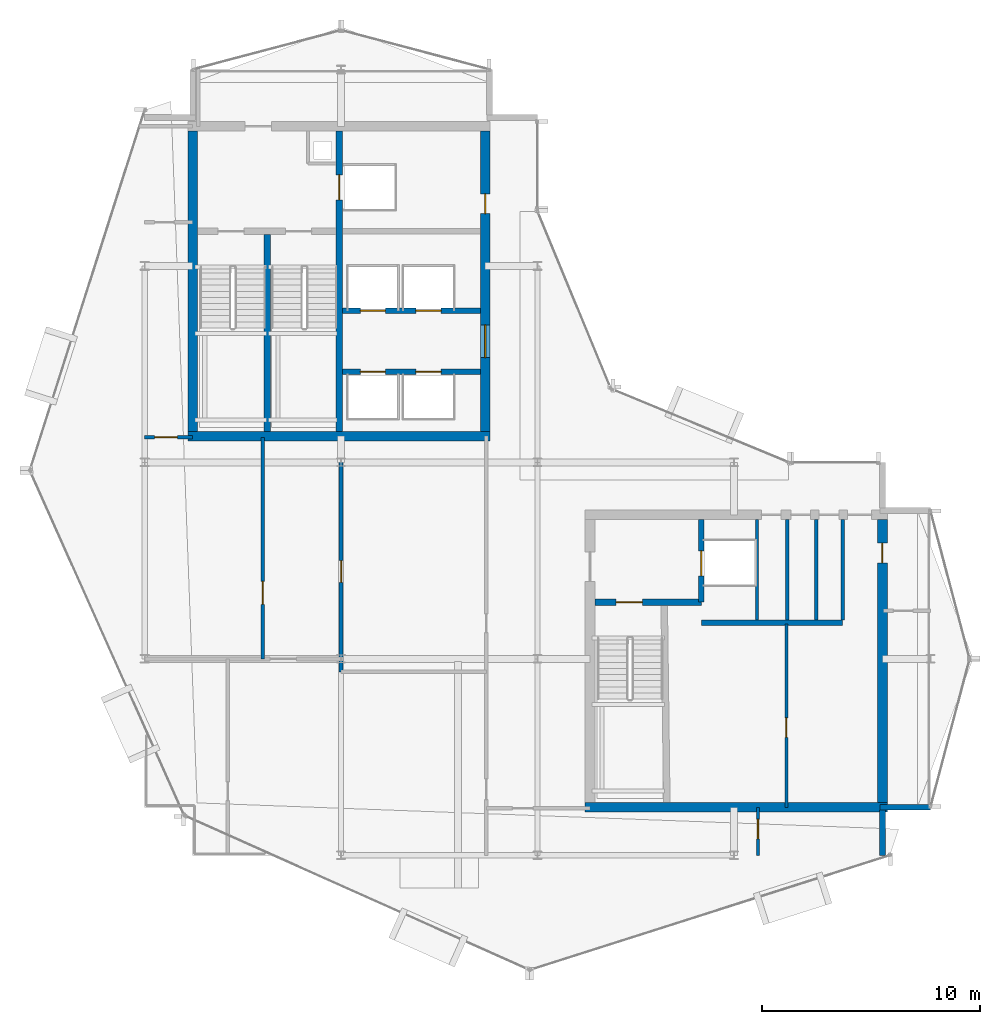
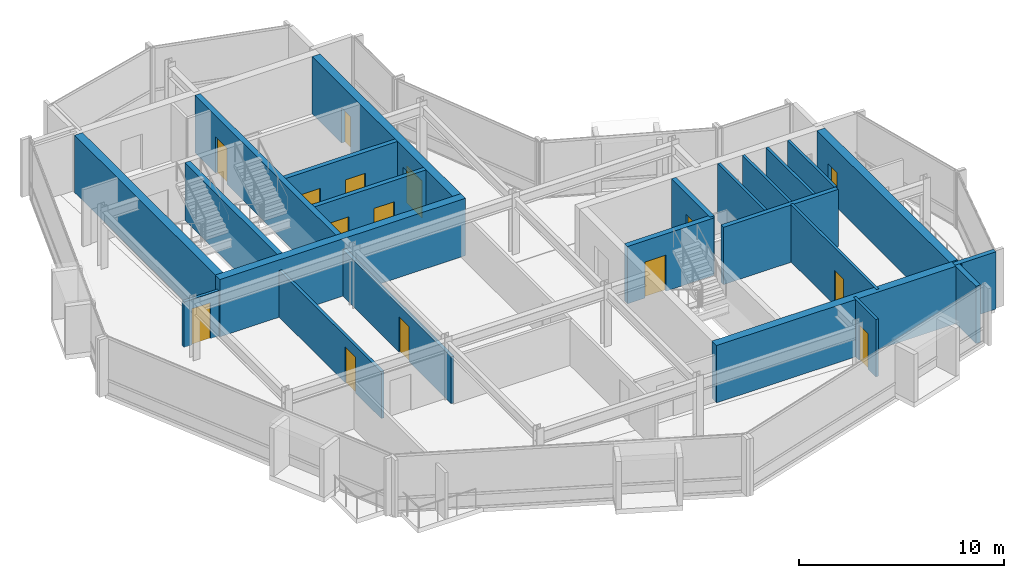
# One storey, part 14 of 19: 23 walls, 15 doors, 15 openings.
"""IFC4 building model written with IfcOpenShell, lengths in metres."""

from ifc_helpers import new_model, si_unit, direction, frame, frame_2d, origin, place, context, subcontext, project, spatial, rectangle, extrude, material, layer, layer_set, type_object, element, fill, save


model = new_model("IFC4")

# Units and contexts
model_context = context("Model", 3, precision=1e-05, world=origin(), true_north=direction((0.0, 1.0)))
body_context = subcontext(model_context, "Body", "Model", "MODEL_VIEW")
ifc_project = project(units=[si_unit("LENGTHUNIT", "METRE"), si_unit("AREAUNIT", "SQUARE_METRE"), si_unit("VOLUMEUNIT", "CUBIC_METRE"), si_unit("PLANEANGLEUNIT", "RADIAN"), si_unit("MASSUNIT", "GRAM", prefix="KILO")], contexts=[model_context])

# Site, building, storey
site_placement = place(None, origin())
site = spatial("IfcSite", under=ifc_project, at=site_placement, CompositionType="ELEMENT")
building_placement = place(site_placement, origin())
building = spatial("IfcBuilding", under=site, at=building_placement, Name="Solvaryn Broadcast Tower", CompositionType="ELEMENT")
storey_placement = place(building_placement, frame((0.0, 0.0, 274.10009765625)))
storey = spatial("IfcBuildingStorey", under=building, at=storey_placement, Name="L69", CompositionType="ELEMENT", Elevation=274.10009765625)

# Walls
ifc_material_1 = material(Name="Concrete f'c 70 MPa", Category="concrete")
ifc_layer_1 = layer(ifc_material_1, 0.449951171875)
ifc_layer_set_1 = layer_set([ifc_layer_1], Name="CW-SHEAR-450")
wall_type_1 = type_object("IfcWallType", Name="CW-SHEAR-450", PredefinedType="SHEAR", material=ifc_layer_set_1)
wall_1_placement = place(storey_placement, frame((10.97509765625, 28.199951171875, 0.0), z_axis=(0.0, 0.0, 1.0), x_axis=(1.0, 0.0, 0.0)))
element("IfcWall", 1, at=wall_1_placement, inside=storey, type_object=wall_type_1, Name="L69 West Core South Shear Wall", PredefinedType="SHEAR", context=body_context, shape_type="SweptSolid", body=[
    extrude(rectangle(XDim=13.849853515625, YDim=0.449951171875, at=frame_2d((6.9248046875, 0.0))), origin(), (0.0, 0.0, 1.0), 3.419921875),
])
wall_2_placement = place(storey_placement, frame((11.199951171875, 42.175048828125, 0.0), z_axis=(0.0, 0.0, 1.0), x_axis=(0.0, -1.0, 0.0)))
element("IfcWall", 2, at=wall_2_placement, inside=storey, type_object=wall_type_1, Name="L69 West Core West Shear Wall", PredefinedType="SHEAR", context=body_context, shape_type="SweptSolid", body=[
    extrude(rectangle(XDim=13.75, YDim=0.449951171875, at=frame_2d((6.875, 0.0))), origin(), (0.0, 0.0, 1.0), 3.419921875),
])

# Wall, openings, doors
wall_3_placement = place(storey_placement, frame((24.60009765625, 28.425048828125, 0.0), z_axis=(0.0, 0.0, 1.0), x_axis=(0.0, 1.0, 0.0)))
wall_3 = element("IfcWall", 3, at=wall_3_placement, inside=storey, type_object=wall_type_1, Name="L69 West Core East Shear Wall", PredefinedType="SHEAR", context=body_context, shape_type="SweptSolid", body=[
    extrude(rectangle(XDim=13.75, YDim=0.449951171875, at=frame_2d((6.875, 0.0))), origin(), (0.0, 0.0, 1.0), 3.419921875),
])
opening_1_placement = place(wall_3_placement, frame((3.375, 0.0, 0.0)))
opening_1 = element("IfcOpeningElement", 4, at=opening_1_placement, cuts=wall_3, Name="Opening FD60A", PredefinedType="OPENING", context=body_context, shape_type="SweptSolid", body=[
    extrude(rectangle(XDim=1.5, YDim=2.199951171875, at=frame_2d((0.75, 1.10009765625))), frame((0.0, 0.235107421875, 0.0), z_axis=(0.0, -1.0, 0.0), x_axis=(1.0, 0.0, 0.0)), (0.0, 0.0, 1.0), 0.469970703125),
])
opening_2_placement = place(wall_3_placement, frame((9.97509765625, 0.0, 0.0)))
opening_2 = element("IfcOpeningElement", 5, at=opening_2_placement, cuts=wall_3, Name="Opening FD60C", PredefinedType="OPENING", context=body_context, shape_type="SweptSolid", body=[
    extrude(rectangle(XDim=0.89990234375, YDim=2.10009765625, at=frame_2d((0.449951171875, 1.050048828125))), frame((0.0, 0.235107421875, 0.0), z_axis=(0.0, -1.0, 0.0), x_axis=(1.0, 0.0, 0.0)), (0.0, 0.0, 1.0), 0.469970703125),
])
ifc_material_2 = material(Name="Flush Acoustic Steel and Timber Door Assembly", Category="steel")
door_type_1 = type_object("IfcDoorType", Name="FD60-CORR-1500X2200", OperationType="NOTDEFINED", PredefinedType="DOOR", material=ifc_material_2)
door_1_placement = place(opening_1_placement, origin())
door_1 = element("IfcDoor", 6, at=door_1_placement, inside=storey, type_object=door_type_1, Name="L69 West Elevator Lobby Corridor Door", OperationType="DOUBLE_DOOR_SINGLE_SWING", OverallHeight=2.199951171875, OverallWidth=1.5, PredefinedType="DOOR", context=body_context, shape_type="SweptSolid", body=[
    extrude(rectangle(XDim=1.5, YDim=2.199951171875, at=frame_2d((0.75, 1.10009765625))), frame((0.0, 0.02490234375, 0.0), z_axis=(0.0, -1.0, 0.0), x_axis=(1.0, 0.0, 0.0)), (0.0, 0.0, 1.0), 0.050048828125),
])
fill(opening_1, door_1)
ifc_material_3 = material(Name="Flush Acoustic Steel and Timber Door Assembly", Category="steel")
door_type_2 = type_object("IfcDoorType", Name="FD60-SERV-900X2100", OperationType="NOTDEFINED", PredefinedType="DOOR", material=ifc_material_3)
door_2_placement = place(opening_2_placement, origin())
door_2 = element("IfcDoor", 7, at=door_2_placement, inside=storey, type_object=door_type_2, Name="L69 West Core Service Door 1", OperationType="SINGLE_SWING_LEFT", OverallHeight=2.10009765625, OverallWidth=0.89990234375, PredefinedType="DOOR", context=body_context, shape_type="SweptSolid", body=[
    extrude(rectangle(XDim=0.89990234375, YDim=2.10009765625, at=frame_2d((0.449951171875, 1.050048828125))), frame((0.0, 0.02490234375, 0.0), z_axis=(0.0, -1.0, 0.0), x_axis=(1.0, 0.0, 0.0)), (0.0, 0.0, 1.0), 0.050048828125),
])
fill(opening_2, door_2)

# Wall
wall_4_placement = place(storey_placement, frame((29.175048828125, 11.199951171875, 0.0), z_axis=(0.0, 0.0, 1.0), x_axis=(1.0, 0.0, 0.0)))
element("IfcWall", 8, at=wall_4_placement, inside=storey, type_object=wall_type_1, Name="L69 East Core South Shear Wall", PredefinedType="SHEAR", context=body_context, shape_type="SweptSolid", body=[
    extrude(rectangle(XDim=13.849853515625, YDim=0.449951171875, at=frame_2d((6.9248046875, 0.0))), origin(), (0.0, 0.0, 1.0), 3.419921875),
])

# Wall, opening, door
wall_5_placement = place(storey_placement, frame((42.800048828125, 11.425048828125, 0.0), z_axis=(0.0, 0.0, 1.0), x_axis=(0.0, 1.0, 0.0)))
wall_5 = element("IfcWall", 9, at=wall_5_placement, inside=storey, type_object=wall_type_1, Name="L69 East Core East Shear Wall", PredefinedType="SHEAR", context=body_context, shape_type="SweptSolid", body=[
    extrude(rectangle(XDim=12.949951171875, YDim=0.449951171875, at=frame_2d((6.47509765625, 0.0))), origin(), (0.0, 0.0, 1.0), 3.419921875),
])
opening_3_placement = place(wall_5_placement, frame((10.97509765625, 0.0, 0.0)))
opening_3 = element("IfcOpeningElement", 10, at=opening_3_placement, cuts=wall_5, Name="Opening FD60C", PredefinedType="OPENING", context=body_context, shape_type="SweptSolid", body=[
    extrude(rectangle(XDim=0.89990234375, YDim=2.10009765625, at=frame_2d((0.449951171875, 1.050048828125))), frame((0.0, 0.235107421875, 0.0), z_axis=(0.0, -1.0, 0.0), x_axis=(1.0, 0.0, 0.0)), (0.0, 0.0, 1.0), 0.469970703125),
])
door_3_placement = place(opening_3_placement, origin())
door_3 = element("IfcDoor", 11, at=door_3_placement, inside=storey, type_object=door_type_2, Name="L69 Upper East Studio Door", OperationType="SINGLE_SWING_RIGHT", OverallHeight=2.10009765625, OverallWidth=0.89990234375, PredefinedType="DOOR", context=body_context, shape_type="SweptSolid", body=[
    extrude(rectangle(XDim=0.89990234375, YDim=2.10009765625, at=frame_2d((0.449951171875, 1.050048828125))), frame((0.0, 0.02490234375, 0.0), z_axis=(0.0, -1.0, 0.0), x_axis=(1.0, 0.0, 0.0)), (0.0, 0.0, 1.0), 0.050048828125),
])
fill(opening_3, door_3)

# Walls
ifc_material_4 = material(Name="Concrete f'c 50 MPa", Category="concrete")
ifc_layer_2 = layer(ifc_material_4, 0.260009765625)
ifc_layer_set_2 = layer_set([ifc_layer_2], Name="EW-PIER-260")
wall_type_2 = type_object("IfcWallType", Name="EW-PIER-260", PredefinedType="SOLIDWALL", material=ifc_layer_set_2)
wall_6_placement = place(storey_placement, frame((42.800048828125, 9.0, 0.0), z_axis=(0.0, 0.0, 1.0), x_axis=(0.0, 1.0, 0.0)))
element("IfcWall", 12, at=wall_6_placement, inside=storey, type_object=wall_type_2, Name="L69 Notched Corner Pier Wall NSE1", PredefinedType="SOLIDWALL", context=body_context, shape_type="SweptSolid", body=[
    extrude(rectangle(XDim=2.080078125, YDim=0.260009765625, at=frame_2d((1.0400390625, 0.0))), origin(), (0.0, 0.0, 1.0), 3.419921875),
])
wall_7_placement = place(storey_placement, frame((42.679931640625, 11.199951171875, 0.0), z_axis=(0.0, 0.0, 1.0), x_axis=(1.0, 0.0, 0.0)))
element("IfcWall", 13, at=wall_7_placement, inside=storey, type_object=wall_type_2, Name="L69 Notched Corner Pier Wall NSE2", PredefinedType="SOLIDWALL", context=body_context, shape_type="SweptSolid", body=[
    extrude(rectangle(XDim=2.320068359375, YDim=0.260009765625, at=frame_2d((1.16015625, 0.0))), origin(), (0.0, 0.0, 1.0), 3.419921875),
])

# Wall, opening, door
ifc_material_5 = material(Name="Metal-Stud Service Core Partition")
ifc_layer_3 = layer(ifc_material_5, 0.14990234375)
ifc_layer_set_3 = layer_set([ifc_layer_3], Name="IW-PART-150")
wall_type_3 = type_object("IfcWallType", Name="IW-PART-150", PredefinedType="PARTITIONING", material=ifc_layer_set_3)
wall_8_placement = place(storey_placement, frame((38.39990234375, 11.199951171875, 0.0), z_axis=(0.0, 0.0, 1.0), x_axis=(0.0, 1.0, 0.0)))
wall_8 = element("IfcWall", 14, at=wall_8_placement, inside=storey, type_object=wall_type_3, Name="L69 Interior Partition IW-L69-RPM-V", PredefinedType="PARTITIONING", context=body_context, shape_type="SweptSolid", body=[
    extrude(rectangle(XDim=8.400146484375, YDim=0.14990234375, at=frame_2d((4.2001953125, 0.0))), origin(), (0.0, 0.0, 1.0), 3.419921875),
])
opening_4_placement = place(wall_8_placement, frame((3.199951171875, 0.0, 0.0)))
opening_4 = element("IfcOpeningElement", 15, at=opening_4_placement, cuts=wall_8, Name="Opening FD60C", PredefinedType="OPENING", context=body_context, shape_type="SweptSolid", body=[
    extrude(rectangle(XDim=0.89990234375, YDim=2.10009765625, at=frame_2d((0.449951171875, 1.050048828125))), frame((0.0, 0.0849609375, 0.0), z_axis=(0.0, -1.0, 0.0), x_axis=(1.0, 0.0, 0.0)), (0.0, 0.0, 1.0), 0.169921875),
])
door_4_placement = place(opening_4_placement, origin())
door_4 = element("IfcDoor", 16, at=door_4_placement, inside=storey, type_object=door_type_2, Name="L69 Door DR-L69-RPM1", OperationType="SINGLE_SWING_LEFT", OverallHeight=2.10009765625, OverallWidth=0.89990234375, PredefinedType="DOOR", context=body_context, shape_type="SweptSolid", body=[
    extrude(rectangle(XDim=0.89990234375, YDim=2.10009765625, at=frame_2d((0.449951171875, 1.050048828125))), frame((0.0, 0.02490234375, 0.0), z_axis=(0.0, -1.0, 0.0), x_axis=(1.0, 0.0, 0.0)), (0.0, 0.0, 1.0), 0.050048828125),
])
fill(opening_4, door_4)

# Walls
for number, where, z_axis, x_axis, name in (
    (17, (37.050048828125, 19.780029296875, 0.0), (0.0, 0.0, 1.0), (0.0, 1.0, 0.0), "L69 Interior Partition IW-L69-CE-FL2E"),
    (18, (38.43994140625, 19.780029296875, 0.0), (0.0, 0.0, 1.0), (0.0, 1.0, 0.0), "L69 Interior Partition IW-L69-CE-V1"),
    (19, (39.77001953125, 19.780029296875, 0.0), (0.0, 0.0, 1.0), (0.0, 1.0, 0.0), "L69 Interior Partition IW-L69-CE-V2"),
    (20, (40.97998046875, 19.780029296875, 0.0), (0.0, 0.0, 1.0), (0.0, 1.0, 0.0), "L69 Interior Partition IW-L69-CE-V3"),
):
    element("IfcWall", number, at=place(storey_placement, frame(where, z_axis=z_axis, x_axis=x_axis)), inside=storey, type_object=wall_type_3, Name=name, PredefinedType="PARTITIONING", context=body_context, shape_type="SweptSolid", body=[
        extrude(rectangle(XDim=4.594970703125, YDim=0.14990234375, at=frame_2d((2.29736328125, 0.0))), origin(), (0.0, 0.0, 1.0), 3.419921875),
    ])

# Wall, opening, door
wall_9_placement = place(storey_placement, frame((37.10009765625, 9.0, 0.0), z_axis=(0.0, 0.0, 1.0), x_axis=(0.0, 1.0, 0.0)))
wall_9 = element("IfcWall", 21, at=wall_9_placement, inside=storey, type_object=wall_type_3, Name="L69 Interior Partition IW-L69-SC-V", PredefinedType="PARTITIONING", context=body_context, shape_type="SweptSolid", body=[
    extrude(rectangle(XDim=2.199951171875, YDim=0.14990234375, at=frame_2d((1.10009765625, 0.0))), origin(), (0.0, 0.0, 1.0), 3.419921875),
])
opening_5_placement = place(wall_9_placement, frame((0.75, 0.0, 0.0)))
opening_5 = element("IfcOpeningElement", 22, at=opening_5_placement, cuts=wall_9, Name="Opening FD60C", PredefinedType="OPENING", context=body_context, shape_type="SweptSolid", body=[
    extrude(rectangle(XDim=0.89990234375, YDim=2.10009765625, at=frame_2d((0.449951171875, 1.050048828125))), frame((0.0, 0.0849609375, 0.0), z_axis=(0.0, -1.0, 0.0), x_axis=(1.0, 0.0, 0.0)), (0.0, 0.0, 1.0), 0.169921875),
])
door_5_placement = place(opening_5_placement, origin())
door_5 = element("IfcDoor", 23, at=door_5_placement, inside=storey, type_object=door_type_2, Name="L69 Door DR-L69-SC1", OperationType="SINGLE_SWING_LEFT", OverallHeight=2.10009765625, OverallWidth=0.89990234375, PredefinedType="DOOR", context=body_context, shape_type="SweptSolid", body=[
    extrude(rectangle(XDim=0.89990234375, YDim=2.10009765625, at=frame_2d((0.449951171875, 1.050048828125))), frame((0.0, 0.02490234375, 0.0), z_axis=(0.0, -1.0, 0.0), x_axis=(1.0, 0.0, 0.0)), (0.0, 0.0, 1.0), 0.050048828125),
])
fill(opening_5, door_5)

ifc_material_6 = material(Name="Metal-Stud Gypsum Office Partition")
ifc_layer_4 = layer(ifc_material_6, 0.159912109375)
ifc_layer_set_4 = layer_set([ifc_layer_4], Name="IW-PART-160")
wall_type_4 = type_object("IfcWallType", Name="IW-PART-160", PredefinedType="PARTITIONING", material=ifc_layer_set_4)
wall_10_placement = place(storey_placement, frame((9.0, 28.14990234375, 0.0), z_axis=(0.0, 0.0, 1.0), x_axis=(1.0, 0.0, 0.0)))
wall_10 = element("IfcWall", 24, at=wall_10_placement, inside=storey, type_object=wall_type_4, Name="L69 Interior Partition IW-L69-WM-S", PredefinedType="PARTITIONING", context=body_context, shape_type="SweptSolid", body=[
    extrude(rectangle(XDim=2.199951171875, YDim=0.159912109375, at=frame_2d((1.10009765625, 0.0))), origin(), (0.0, 0.0, 1.0), 2.706787109375),
])
opening_6_placement = place(wall_10_placement, frame((0.449951171875, 0.0, 0.0)))
opening_6 = element("IfcOpeningElement", 25, at=opening_6_placement, cuts=wall_10, Name="Opening ID03", PredefinedType="OPENING", context=body_context, shape_type="SweptSolid", body=[
    extrude(rectangle(XDim=1.050048828125, YDim=2.14990234375, at=frame_2d((0.52490234375, 1.074951171875))), frame((0.0, 0.090087890625, 0.0), z_axis=(0.0, -1.0, 0.0), x_axis=(1.0, 0.0, 0.0)), (0.0, 0.0, 1.0), 0.179931640625),
])
ifc_material_7 = material(Name="Flush Acoustic Steel and Timber Door Assembly", Category="steel")
door_type_3 = type_object("IfcDoorType", Name="ID-03-1050X2150", OperationType="NOTDEFINED", PredefinedType="DOOR", material=ifc_material_7)
door_6_placement = place(opening_6_placement, origin())
door_6 = element("IfcDoor", 26, at=door_6_placement, inside=storey, type_object=door_type_3, Name="L69 Door DR-L69-WM0", OperationType="SINGLE_SWING_RIGHT", OverallHeight=2.14990234375, OverallWidth=1.050048828125, PredefinedType="DOOR", context=body_context, shape_type="SweptSolid", body=[
    extrude(rectangle(XDim=1.050048828125, YDim=2.14990234375, at=frame_2d((0.52490234375, 1.074951171875))), frame((0.0, 0.02490234375, 0.0), z_axis=(0.0, -1.0, 0.0), x_axis=(1.0, 0.0, 0.0)), (0.0, 0.0, 1.0), 0.050048828125),
])
fill(opening_6, door_6)

wall_11_placement = place(storey_placement, frame((14.39990234375, 18.0, 0.0), z_axis=(0.0, 0.0, 1.0), x_axis=(0.0, 1.0, 0.0)))
wall_11 = element("IfcWall", 27, at=wall_11_placement, inside=storey, type_object=wall_type_4, Name="L69 Interior Partition IW-L69-SW-NWV", PredefinedType="PARTITIONING", context=body_context, shape_type="SweptSolid", body=[
    extrude(rectangle(XDim=10.1298828125, YDim=0.159912109375, at=frame_2d((5.06494140625, 0.0))), origin(), (0.0, 0.0, 1.0), 2.788818359375),
])
opening_7_placement = place(wall_11_placement, frame((2.5, 0.0, 0.0)))
opening_7 = element("IfcOpeningElement", 28, at=opening_7_placement, cuts=wall_11, Name="Opening ID03", PredefinedType="OPENING", context=body_context, shape_type="SweptSolid", body=[
    extrude(rectangle(XDim=1.050048828125, YDim=2.14990234375, at=frame_2d((0.52490234375, 1.074951171875))), frame((0.0, 0.090087890625, 0.0), z_axis=(0.0, -1.0, 0.0), x_axis=(1.0, 0.0, 0.0)), (0.0, 0.0, 1.0), 0.179931640625),
])
door_7_placement = place(opening_7_placement, origin())
door_7 = element("IfcDoor", 29, at=door_7_placement, inside=storey, type_object=door_type_3, Name="L69 Door DR-L69-SWL-NW", OperationType="SINGLE_SWING_LEFT", OverallHeight=2.14990234375, OverallWidth=1.050048828125, PredefinedType="DOOR", context=body_context, shape_type="SweptSolid", body=[
    extrude(rectangle(XDim=1.050048828125, YDim=2.14990234375, at=frame_2d((0.52490234375, 1.074951171875))), frame((0.0, 0.02490234375, 0.0), z_axis=(0.0, -1.0, 0.0), x_axis=(1.0, 0.0, 0.0)), (0.0, 0.0, 1.0), 0.050048828125),
])
fill(opening_7, door_7)

ifc_material_8 = material(Name="Acoustic Metal-Stud Gypsum Partition")
ifc_layer_5 = layer(ifc_material_8, 0.179931640625)
ifc_layer_set_5 = layer_set([ifc_layer_5], Name="IW-PART-180")
wall_type_5 = type_object("IfcWallType", Name="IW-PART-180", PredefinedType="PARTITIONING", material=ifc_layer_set_5)
wall_12_placement = place(storey_placement, frame((18.0, 17.39990234375, 0.0), z_axis=(0.0, 0.0, 1.0), x_axis=(0.0, 1.0, 0.0)))
wall_12 = element("IfcWall", 30, at=wall_12_placement, inside=storey, type_object=wall_type_5, Name="L69 Interior Partition IW-L69-SW-LV", PredefinedType="PARTITIONING", context=body_context, shape_type="SweptSolid", body=[
    extrude(rectangle(XDim=10.72998046875, YDim=0.179931640625, at=frame_2d((5.364990234375, 0.0))), origin(), (0.0, 0.0, 1.0), 2.788818359375),
])
opening_8_placement = place(wall_12_placement, frame((4.10009765625, 0.0, 0.0)))
opening_8 = element("IfcOpeningElement", 31, at=opening_8_placement, cuts=wall_12, Name="Opening ID02", PredefinedType="OPENING", context=body_context, shape_type="SweptSolid", body=[
    extrude(rectangle(XDim=1.0, YDim=2.10009765625, at=frame_2d((0.5, 1.050048828125))), frame((0.0, 0.099853515625, 0.0), z_axis=(0.0, -1.0, 0.0), x_axis=(1.0, 0.0, 0.0)), (0.0, 0.0, 1.0), 0.199951171875),
])
ifc_material_9 = material(Name="Flush Acoustic Steel and Timber Door Assembly", Category="steel")
door_type_4 = type_object("IfcDoorType", Name="ID-02-1000X2100", OperationType="NOTDEFINED", PredefinedType="DOOR", material=ifc_material_9)
door_8_placement = place(opening_8_placement, origin())
door_8 = element("IfcDoor", 32, at=door_8_placement, inside=storey, type_object=door_type_4, Name="L69 Door DR-L69-SWL-LV", OperationType="SINGLE_SWING_RIGHT", OverallHeight=2.10009765625, OverallWidth=1.0, PredefinedType="DOOR", context=body_context, shape_type="SweptSolid", body=[
    extrude(rectangle(XDim=1.0, YDim=2.10009765625, at=frame_2d((0.5, 1.050048828125))), frame((0.0, 0.02490234375, 0.0), z_axis=(0.0, -1.0, 0.0), x_axis=(1.0, 0.0, 0.0)), (0.0, 0.0, 1.0), 0.050048828125),
])
fill(opening_8, door_8)

# Wall, openings, doors
ifc_material_10 = material(Name="Concrete f'c 60 MPa", Category="concrete")
ifc_layer_6 = layer(ifc_material_10, 0.25)
ifc_layer_set_6 = layer_set([ifc_layer_6], Name="SW-SHAFT-250")
wall_type_6 = type_object("IfcWallType", Name="SW-SHAFT-250", PredefinedType="PARTITIONING", material=ifc_layer_set_6)
wall_13_placement = place(storey_placement, frame((18.070068359375, 31.14990234375, 0.0), z_axis=(0.0, 0.0, 1.0), x_axis=(1.0, 0.0, 0.0)))
wall_13 = element("IfcWall", 33, at=wall_13_placement, inside=storey, type_object=wall_type_6, Name="L69 High-Rise Lift Bank South Wall", PredefinedType="PARTITIONING", context=body_context, shape_type="SweptSolid", body=[
    extrude(rectangle(XDim=6.304931640625, YDim=0.25, at=frame_2d((3.15234375, 0.0))), origin(), (0.0, 0.0, 1.0), 3.419921875),
])
opening_9_placement = place(wall_13_placement, frame((0.804931640625, 0.0, 0.0)))
opening_9 = element("IfcOpeningElement", 34, at=opening_9_placement, cuts=wall_13, Name="Opening LD01", PredefinedType="OPENING", context=body_context, shape_type="SweptSolid", body=[
    extrude(rectangle(XDim=1.14990234375, YDim=2.14990234375, at=frame_2d((0.574951171875, 1.074951171875))), frame((0.0, 0.135009765625, 0.0), z_axis=(0.0, -1.0, 0.0), x_axis=(1.0, 0.0, 0.0)), (0.0, 0.0, 1.0), 0.27001953125),
])
opening_10_placement = place(wall_13_placement, frame((3.35498046875, 0.0, 0.0)))
opening_10 = element("IfcOpeningElement", 35, at=opening_10_placement, cuts=wall_13, Name="Opening LD01", PredefinedType="OPENING", context=body_context, shape_type="SweptSolid", body=[
    extrude(rectangle(XDim=1.14990234375, YDim=2.14990234375, at=frame_2d((0.574951171875, 1.074951171875))), frame((0.0, 0.135009765625, 0.0), z_axis=(0.0, -1.0, 0.0), x_axis=(1.0, 0.0, 0.0)), (0.0, 0.0, 1.0), 0.27001953125),
])
ifc_material_11 = material(Name="Flush Acoustic Steel and Timber Door Assembly", Category="steel")
door_type_5 = type_object("IfcDoorType", Name="LD-LIFT-1150X2150", OperationType="NOTDEFINED", PredefinedType="DOOR", material=ifc_material_11)
door_9_placement = place(opening_9_placement, origin())
door_9 = element("IfcDoor", 36, at=door_9_placement, inside=storey, type_object=door_type_5, Name="L69 PH1 Lift Landing Door", OperationType="DOUBLE_DOOR_SLIDING", OverallHeight=2.14990234375, OverallWidth=1.14990234375, PredefinedType="DOOR", context=body_context, shape_type="SweptSolid", body=[
    extrude(rectangle(XDim=1.14990234375, YDim=2.14990234375, at=frame_2d((0.574951171875, 1.074951171875))), frame((0.0, 0.02490234375, 0.0), z_axis=(0.0, -1.0, 0.0), x_axis=(1.0, 0.0, 0.0)), (0.0, 0.0, 1.0), 0.050048828125),
])
fill(opening_9, door_9)
door_10_placement = place(opening_10_placement, origin())
door_10 = element("IfcDoor", 37, at=door_10_placement, inside=storey, type_object=door_type_5, Name="L69 PH2 Lift Landing Door", OperationType="DOUBLE_DOOR_SLIDING", OverallHeight=2.14990234375, OverallWidth=1.14990234375, PredefinedType="DOOR", context=body_context, shape_type="SweptSolid", body=[
    extrude(rectangle(XDim=1.14990234375, YDim=2.14990234375, at=frame_2d((0.574951171875, 1.074951171875))), frame((0.0, 0.02490234375, 0.0), z_axis=(0.0, -1.0, 0.0), x_axis=(1.0, 0.0, 0.0)), (0.0, 0.0, 1.0), 0.050048828125),
])
fill(opening_10, door_10)

wall_14_placement = place(storey_placement, frame((24.375, 33.949951171875, 0.0), z_axis=(0.0, 0.0, 1.0), x_axis=(-1.0, 0.0, 0.0)))
wall_14 = element("IfcWall", 38, at=wall_14_placement, inside=storey, type_object=wall_type_6, Name="L69 High-Rise Lift Bank North Wall", PredefinedType="PARTITIONING", context=body_context, shape_type="SweptSolid", body=[
    extrude(rectangle(XDim=6.304931640625, YDim=0.25, at=frame_2d((3.15234375, 0.0))), origin(), (0.0, 0.0, 1.0), 3.419921875),
])
opening_11_placement = place(wall_14_placement, frame((4.35009765625, 0.0, 0.0)))
opening_11 = element("IfcOpeningElement", 39, at=opening_11_placement, cuts=wall_14, Name="Opening LD01", PredefinedType="OPENING", context=body_context, shape_type="SweptSolid", body=[
    extrude(rectangle(XDim=1.14990234375, YDim=2.14990234375, at=frame_2d((0.574951171875, 1.074951171875))), frame((0.0, 0.135009765625, 0.0), z_axis=(0.0, -1.0, 0.0), x_axis=(1.0, 0.0, 0.0)), (0.0, 0.0, 1.0), 0.27001953125),
])
opening_12_placement = place(wall_14_placement, frame((1.800048828125, 0.0, 0.0)))
opening_12 = element("IfcOpeningElement", 40, at=opening_12_placement, cuts=wall_14, Name="Opening LD01", PredefinedType="OPENING", context=body_context, shape_type="SweptSolid", body=[
    extrude(rectangle(XDim=1.14990234375, YDim=2.14990234375, at=frame_2d((0.574951171875, 1.074951171875))), frame((0.0, 0.135009765625, 0.0), z_axis=(0.0, -1.0, 0.0), x_axis=(1.0, 0.0, 0.0)), (0.0, 0.0, 1.0), 0.27001953125),
])
door_11_placement = place(opening_11_placement, origin())
door_11 = element("IfcDoor", 41, at=door_11_placement, inside=storey, type_object=door_type_5, Name="L69 PH3 Lift Landing Door", OperationType="DOUBLE_DOOR_SLIDING", OverallHeight=2.14990234375, OverallWidth=1.14990234375, PredefinedType="DOOR", context=body_context, shape_type="SweptSolid", body=[
    extrude(rectangle(XDim=1.14990234375, YDim=2.14990234375, at=frame_2d((0.574951171875, 1.074951171875))), frame((0.0, 0.02490234375, 0.0), z_axis=(0.0, -1.0, 0.0), x_axis=(1.0, 0.0, 0.0)), (0.0, 0.0, 1.0), 0.050048828125),
])
fill(opening_11, door_11)
door_12_placement = place(opening_12_placement, origin())
door_12 = element("IfcDoor", 42, at=door_12_placement, inside=storey, type_object=door_type_5, Name="L69 PH4 Lift Landing Door", OperationType="DOUBLE_DOOR_SLIDING", OverallHeight=2.14990234375, OverallWidth=1.14990234375, PredefinedType="DOOR", context=body_context, shape_type="SweptSolid", body=[
    extrude(rectangle(XDim=1.14990234375, YDim=2.14990234375, at=frame_2d((0.574951171875, 1.074951171875))), frame((0.0, 0.02490234375, 0.0), z_axis=(0.0, -1.0, 0.0), x_axis=(1.0, 0.0, 0.0)), (0.0, 0.0, 1.0), 0.050048828125),
])
fill(opening_12, door_12)

# Wall, opening, door
wall_15_placement = place(storey_placement, frame((34.5, 20.60009765625, 0.0), z_axis=(0.0, 0.0, 1.0), x_axis=(0.0, 1.0, 0.0)))
wall_15 = element("IfcWall", 43, at=wall_15_placement, inside=storey, type_object=wall_type_6, Name="L69 East FSAE Lobby East Wall", PredefinedType="PARTITIONING", context=body_context, shape_type="SweptSolid", body=[
    extrude(rectangle(XDim=3.77490234375, YDim=0.25, at=frame_2d((1.887451171875, 0.0))), origin(), (0.0, 0.0, 1.0), 3.419921875),
])
opening_13_placement = place(wall_15_placement, frame((1.199951171875, 0.0, 0.0)))
opening_13 = element("IfcOpeningElement", 44, at=opening_13_placement, cuts=wall_15, Name="Opening LD01", PredefinedType="OPENING", context=body_context, shape_type="SweptSolid", body=[
    extrude(rectangle(XDim=1.14990234375, YDim=2.14990234375, at=frame_2d((0.574951171875, 1.074951171875))), frame((0.0, 0.135009765625, 0.0), z_axis=(0.0, -1.0, 0.0), x_axis=(1.0, 0.0, 0.0)), (0.0, 0.0, 1.0), 0.27001953125),
])
door_13_placement = place(opening_13_placement, origin())
door_13 = element("IfcDoor", 45, at=door_13_placement, inside=storey, type_object=door_type_5, Name="L69 FL2 Lift Landing Door", OperationType="DOUBLE_DOOR_SLIDING", OverallHeight=2.14990234375, OverallWidth=1.14990234375, PredefinedType="DOOR", context=body_context, shape_type="SweptSolid", body=[
    extrude(rectangle(XDim=1.14990234375, YDim=2.14990234375, at=frame_2d((0.574951171875, 1.074951171875))), frame((0.0, 0.02490234375, 0.0), z_axis=(0.0, -1.0, 0.0), x_axis=(1.0, 0.0, 0.0)), (0.0, 0.0, 1.0), 0.050048828125),
])
fill(opening_13, door_13)

# Walls
wall_16_placement = place(storey_placement, frame((34.5, 19.64990234375, 0.0), z_axis=(0.0, 0.0, 1.0), x_axis=(1.0, 0.0, 0.0)))
element("IfcWall", 46, at=wall_16_placement, inside=storey, type_object=wall_type_6, Name="L69 East Core Restroom South Wall", PredefinedType="PARTITIONING", context=body_context, shape_type="SweptSolid", body=[
    extrude(rectangle(XDim=6.47998046875, YDim=0.25, at=frame_2d((3.239990234375, 0.0))), origin(), (0.0, 0.0, 1.0), 3.419921875),
])
ifc_material_12 = material(Name="Concrete f'c 70 MPa", Category="concrete")
ifc_layer_7 = layer(ifc_material_12, 0.300048828125)
ifc_layer_set_7 = layer_set([ifc_layer_7], Name="SW-SHAFT-300")
wall_type_7 = type_object("IfcWallType", Name="SW-SHAFT-300", PredefinedType="SHEAR", material=ifc_layer_set_7)
wall_17_placement = place(storey_placement, frame((14.6201171875, 28.425048828125, 0.0), z_axis=(0.0, 0.0, 1.0), x_axis=(0.0, 1.0, 0.0)))
element("IfcWall", 47, at=wall_17_placement, inside=storey, type_object=wall_type_7, Name="L69 Stair 1-2 Dividing Wall", PredefinedType="SHEAR", context=body_context, shape_type="SweptSolid", body=[
    extrude(rectangle(XDim=9.02490234375, YDim=0.300048828125, at=frame_2d((4.512451171875, 0.0))), origin(), (0.0, 0.0, 1.0), 3.419921875),
])

# Wall, opening, door
wall_18_placement = place(storey_placement, frame((17.919921875, 42.175048828125, 0.0), z_axis=(0.0, 0.0, 1.0), x_axis=(0.0, -1.0, 0.0)))
wall_18 = element("IfcWall", 48, at=wall_18_placement, inside=storey, type_object=wall_type_7, Name="L69 West Core Stair-Lobby Shear Wall", PredefinedType="SHEAR", context=body_context, shape_type="SweptSolid", body=[
    extrude(rectangle(XDim=13.75, YDim=0.300048828125, at=frame_2d((6.875, 0.0))), origin(), (0.0, 0.0, 1.0), 3.419921875),
])
opening_14_placement = place(wall_18_placement, frame((2.0, 0.0, 0.0)))
opening_14 = element("IfcOpeningElement", 49, at=opening_14_placement, cuts=wall_18, Name="Opening LD01", PredefinedType="OPENING", context=body_context, shape_type="SweptSolid", body=[
    extrude(rectangle(XDim=1.14990234375, YDim=2.14990234375, at=frame_2d((0.574951171875, 1.074951171875))), frame((0.0, 0.159912109375, 0.0), z_axis=(0.0, -1.0, 0.0), x_axis=(1.0, 0.0, 0.0)), (0.0, 0.0, 1.0), 0.320068359375),
])
door_14_placement = place(opening_14_placement, origin())
door_14 = element("IfcDoor", 50, at=door_14_placement, inside=storey, type_object=door_type_5, Name="L69 FL1 Lift Landing Door", OperationType="DOUBLE_DOOR_SLIDING", OverallHeight=2.14990234375, OverallWidth=1.14990234375, PredefinedType="DOOR", context=body_context, shape_type="SweptSolid", body=[
    extrude(rectangle(XDim=1.14990234375, YDim=2.14990234375, at=frame_2d((0.574951171875, 1.074951171875))), frame((0.0, 0.02490234375, 0.0), z_axis=(0.0, -1.0, 0.0), x_axis=(1.0, 0.0, 0.0)), (0.0, 0.0, 1.0), 0.050048828125),
])
fill(opening_14, door_14)

wall_19_placement = place(storey_placement, frame((34.5, 20.60009765625, 0.0), z_axis=(0.0, 0.0, 1.0), x_axis=(-1.0, 0.0, 0.0)))
wall_19 = element("IfcWall", 51, at=wall_19_placement, inside=storey, type_object=wall_type_7, Name="L69 East FSAE Lobby South Wall", PredefinedType="SHEAR", context=body_context, shape_type="SweptSolid", body=[
    extrude(rectangle(XDim=4.875, YDim=0.300048828125, at=frame_2d((2.4375, 0.0))), origin(), (0.0, 0.0, 1.0), 3.419921875),
])
opening_15_placement = place(wall_19_placement, frame((2.699951171875, 0.0, 0.0)))
opening_15 = element("IfcOpeningElement", 52, at=opening_15_placement, cuts=wall_19, Name="Opening FD90A", PredefinedType="OPENING", context=body_context, shape_type="SweptSolid", body=[
    extrude(rectangle(XDim=1.199951171875, YDim=2.14990234375, at=frame_2d((0.60009765625, 1.074951171875))), frame((0.0, 0.159912109375, 0.0), z_axis=(0.0, -1.0, 0.0), x_axis=(1.0, 0.0, 0.0)), (0.0, 0.0, 1.0), 0.320068359375),
])
ifc_material_13 = material(Name="Flush Acoustic Steel and Timber Door Assembly", Category="steel")
door_type_6 = type_object("IfcDoorType", Name="FD90-STAIR-1200X2150", OperationType="NOTDEFINED", PredefinedType="DOOR", material=ifc_material_13)
door_15_placement = place(opening_15_placement, origin())
door_15 = element("IfcDoor", 53, at=door_15_placement, inside=storey, type_object=door_type_6, Name="L69 Stair 3 Fire Door", OperationType="SINGLE_SWING_LEFT", OverallHeight=2.14990234375, OverallWidth=1.199951171875, PredefinedType="DOOR", context=body_context, shape_type="SweptSolid", body=[
    extrude(rectangle(XDim=1.199951171875, YDim=2.14990234375, at=frame_2d((0.60009765625, 1.074951171875))), frame((0.0, 0.02490234375, 0.0), z_axis=(0.0, -1.0, 0.0), x_axis=(1.0, 0.0, 0.0)), (0.0, 0.0, 1.0), 0.050048828125),
])
fill(opening_15, door_15)

save(model, "model.ifc")
